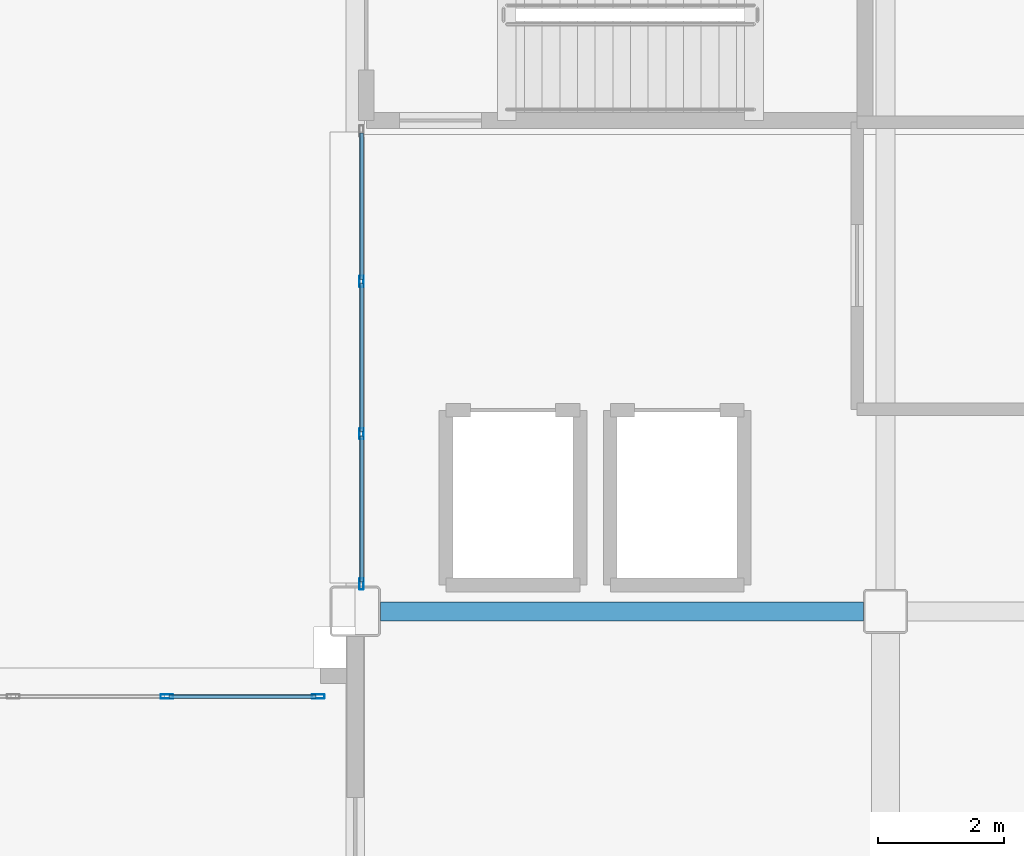
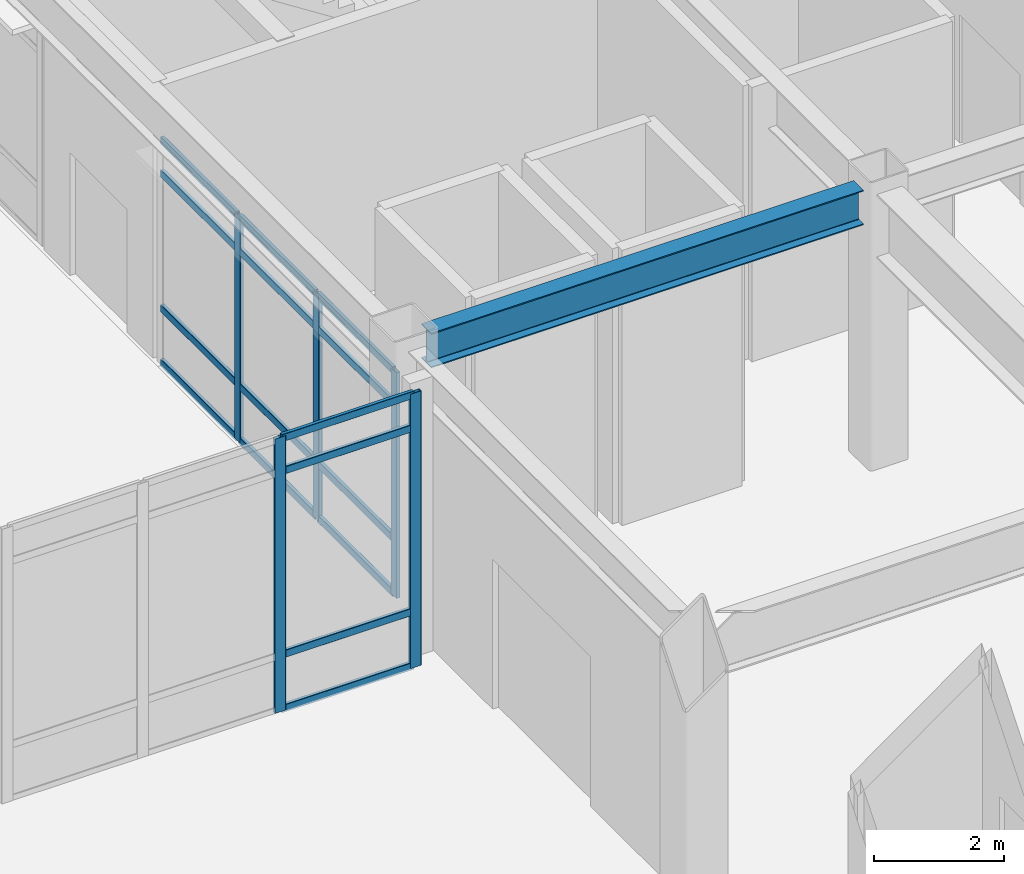
# One storey, part 95 of 165: 21 members, 1 beam, 2 elements without a shape of their own.
"""IFC4 building model written with IfcOpenShell, lengths in metres."""

from ifc_helpers import new_model, si_unit, direction, frame, origin, origin_2d, place, context, subcontext, project, spatial, hollow_rectangle, i_section, extrude, material, layer, layer_set, material_profile, profile_set, type_object, element, aggregate, save


model = new_model("IFC4")

# Units and contexts
model_context = context("Model", 3, precision=1e-05, world=origin(), true_north=direction((0.0, 1.0)))
body_context = subcontext(model_context, "Body", "Model", "MODEL_VIEW")
ifc_project = project(units=[si_unit("LENGTHUNIT", "METRE"), si_unit("AREAUNIT", "SQUARE_METRE"), si_unit("VOLUMEUNIT", "CUBIC_METRE"), si_unit("PLANEANGLEUNIT", "RADIAN"), si_unit("MASSUNIT", "GRAM", prefix="KILO")], contexts=[model_context])

# Site, building, storey
site_placement = place(None, origin())
site = spatial("IfcSite", under=ifc_project, at=site_placement, CompositionType="ELEMENT")
building_placement = place(site_placement, origin())
building = spatial("IfcBuilding", under=site, at=building_placement, Name="Kazehara Bluff Congress Hotel", CompositionType="ELEMENT")
storey_placement = place(building_placement, origin())
storey = spatial("IfcBuildingStorey", under=building, at=storey_placement, Name="L00", CompositionType="ELEMENT", Elevation=0.0)

# Curtain wall, members
ifc_material_1 = material(Name="Anodised aluminium", Category="aluminium")
ifc_layer_1 = layer(ifc_material_1, 0.159912109375)
ifc_layer_set_1 = layer_set([ifc_layer_1], Name="Anodised aluminium")
curtain_wall_type_1 = type_object("IfcCurtainWallType", Name="TP-CW-101", PredefinedType="NOTDEFINED", material=ifc_layer_set_1)
curtain_wall_1_placement = place(storey_placement, origin())
curtain_wall_1 = element("IfcCurtainWall", 1, at=curtain_wall_1_placement, inside=storey, type_object=curtain_wall_type_1, Name="L00 curtain wall CW-101 CW-ENC-V5-L00-14380-4492", PredefinedType="NOTDEFINED")
ifc_material_2 = material(Name="Anodised aluminium", Category="aluminium")
ifc_material_profile_1 = material_profile(ifc_material_2, hollow_rectangle(XDim=0.06494140625, YDim=0.179931640625, WallThickness=0.00390625, InnerFilletRadius=0.00390625, OuterFilletRadius=0.008056640625, at=origin_2d()))
ifc_profile_set_1 = profile_set([ifc_material_profile_1], Name="Anodised aluminium")
member_type_1 = type_object("IfcMemberType", Name="TP-CWM-02", PredefinedType="MULLION", material=ifc_profile_set_1)
member_1_placement = place(storey_placement, frame((143.800048828125, 41.33251953125, 0.0), z_axis=(0.0, 0.0, 1.0), x_axis=(-1.0, 0.0, 0.0)))
member_1 = element("IfcMember", 2, at=member_1_placement, type_object=member_type_1, Name="CW-101 mullion 1", PredefinedType="MULLION", context=body_context, shape_type="SweptSolid", body=[
    extrude(hollow_rectangle(XDim=0.06494140625, YDim=0.179931640625, WallThickness=0.00390625, InnerFilletRadius=0.00390625, OuterFilletRadius=0.008056640625, at=origin_2d()), origin(), (0.0, 0.0, 1.0), 4.22509765625),
])
member_2_placement = place(storey_placement, frame((143.800048828125, 43.71337890625, 0.0), z_axis=(0.0, 0.0, 1.0), x_axis=(-1.0, 0.0, 0.0)))
member_2 = element("IfcMember", 3, at=member_2_placement, type_object=member_type_1, Name="CW-101 mullion 2", PredefinedType="MULLION", context=body_context, shape_type="SweptSolid", body=[
    extrude(hollow_rectangle(XDim=0.06494140625, YDim=0.179931640625, WallThickness=0.00390625, InnerFilletRadius=0.00390625, OuterFilletRadius=0.008056640625, at=origin_2d()), origin(), (0.0, 0.0, 1.0), 4.22509765625),
])
member_3_placement = place(storey_placement, frame((143.800048828125, 46.126708984375, 0.0), z_axis=(0.0, 0.0, 1.0), x_axis=(-1.0, 0.0, 0.0)))
member_3 = element("IfcMember", 4, at=member_3_placement, type_object=member_type_1, Name="CW-101 mullion 3", PredefinedType="MULLION", context=body_context, shape_type="SweptSolid", body=[
    extrude(hollow_rectangle(XDim=0.06494140625, YDim=0.179931640625, WallThickness=0.00390625, InnerFilletRadius=0.00390625, OuterFilletRadius=0.008056640625, at=origin_2d()), origin(), (0.0, 0.0, 1.0), 4.22509765625),
])

ifc_material_3 = material(Name="Anodised aluminium", Category="aluminium")
ifc_layer_2 = layer(ifc_material_3, 0.159912109375)
ifc_layer_set_2 = layer_set([ifc_layer_2], Name="Anodised aluminium")
curtain_wall_type_2 = type_object("IfcCurtainWallType", Name="TP-CW-46", PredefinedType="NOTDEFINED", material=ifc_layer_set_2)
curtain_wall_2_placement = place(storey_placement, origin())
curtain_wall_2 = element("IfcCurtainWall", 5, at=curtain_wall_2_placement, inside=storey, type_object=curtain_wall_type_2, Name="L00 curtain wall CW-46 CW-V5-L00-Y3955-13585", PredefinedType="NOTDEFINED")
ifc_material_4 = material(Name="Anodised aluminium", Category="aluminium")
ifc_material_profile_2 = material_profile(ifc_material_4, hollow_rectangle(XDim=0.070068359375, YDim=0.199951171875, WallThickness=0.0048828125, InnerFilletRadius=0.0048828125, OuterFilletRadius=0.010009765625, at=origin_2d()))
ifc_profile_set_2 = profile_set([ifc_material_profile_2], Name="Anodised aluminium")
member_type_2 = type_object("IfcMemberType", Name="TP-CWM-03", PredefinedType="MULLION", material=ifc_profile_set_2)
member_4_placement = place(storey_placement, frame((140.716552734375, 39.550048828125, 0.0), z_axis=(0.0, 0.0, 1.0), x_axis=(0.0, 1.0, 0.0)))
member_4 = element("IfcMember", 6, at=member_4_placement, type_object=member_type_2, Name="CW-46 mullion 3", PredefinedType="MULLION", context=body_context, shape_type="SweptSolid", body=[
    extrude(hollow_rectangle(XDim=0.070068359375, YDim=0.199951171875, WallThickness=0.0048828125, InnerFilletRadius=0.0048828125, OuterFilletRadius=0.010009765625, at=origin_2d()), origin(), (0.0, 0.0, 1.0), 5.135009765625),
])
member_5_placement = place(storey_placement, frame((143.114990234375, 39.550048828125, 0.0), z_axis=(0.0, 0.0, 1.0), x_axis=(0.0, 1.0, 0.0)))
member_5 = element("IfcMember", 7, at=member_5_placement, type_object=member_type_2, Name="CW-46 mullion 4", PredefinedType="MULLION", context=body_context, shape_type="SweptSolid", body=[
    extrude(hollow_rectangle(XDim=0.070068359375, YDim=0.199951171875, WallThickness=0.0048828125, InnerFilletRadius=0.0048828125, OuterFilletRadius=0.010009765625, at=origin_2d()), origin(), (0.0, 0.0, 1.0), 5.135009765625),
])
ifc_material_5 = material(Name="Anodised aluminium", Category="aluminium")
ifc_material_profile_3 = material_profile(ifc_material_5, hollow_rectangle(XDim=0.06494140625, YDim=0.139892578125, WallThickness=0.00390625, InnerFilletRadius=0.00390625, OuterFilletRadius=0.008056640625, at=origin_2d()))
ifc_profile_set_3 = profile_set([ifc_material_profile_3], Name="Anodised aluminium")
member_type_3 = type_object("IfcMemberType", Name="TP-CWT-02", PredefinedType="USERDEFINED", material=ifc_profile_set_3)
member_6_placement = place(storey_placement, frame((140.751708984375, 39.550048828125, 0.032470703125), z_axis=(1.0, 0.0, 0.0), x_axis=(0.0, 1.0, 0.0)))
member_6 = element("IfcMember", 8, at=member_6_placement, type_object=member_type_3, Name="CW-46 transom 3.1", ObjectType="TRANSOM", PredefinedType="USERDEFINED", context=body_context, shape_type="SweptSolid", body=[
    extrude(hollow_rectangle(XDim=0.06494140625, YDim=0.139892578125, WallThickness=0.00390625, InnerFilletRadius=0.00390625, OuterFilletRadius=0.008056640625, at=origin_2d()), origin(), (0.0, 0.0, 1.0), 2.328369140625),
])
member_7_placement = place(storey_placement, frame((140.751708984375, 39.550048828125, 1.050048828125), z_axis=(1.0, 0.0, 0.0), x_axis=(0.0, 1.0, 0.0)))
member_7 = element("IfcMember", 9, at=member_7_placement, type_object=member_type_3, Name="CW-46 transom 3.2", ObjectType="TRANSOM", PredefinedType="USERDEFINED", context=body_context, shape_type="SweptSolid", body=[
    extrude(hollow_rectangle(XDim=0.06494140625, YDim=0.139892578125, WallThickness=0.00390625, InnerFilletRadius=0.00390625, OuterFilletRadius=0.008056640625, at=origin_2d()), origin(), (0.0, 0.0, 1.0), 2.328369140625),
])
member_8_placement = place(storey_placement, frame((140.751708984375, 39.550048828125, 4.485107421875), z_axis=(1.0, 0.0, 0.0), x_axis=(0.0, 1.0, 0.0)))
member_8 = element("IfcMember", 10, at=member_8_placement, type_object=member_type_3, Name="CW-46 transom 3.3", ObjectType="TRANSOM", PredefinedType="USERDEFINED", context=body_context, shape_type="SweptSolid", body=[
    extrude(hollow_rectangle(XDim=0.06494140625, YDim=0.139892578125, WallThickness=0.00390625, InnerFilletRadius=0.00390625, OuterFilletRadius=0.008056640625, at=origin_2d()), origin(), (0.0, 0.0, 1.0), 2.328369140625),
])
member_9_placement = place(storey_placement, frame((140.751708984375, 39.550048828125, 5.1025390625), z_axis=(1.0, 0.0, 0.0), x_axis=(0.0, 1.0, 0.0)))
member_9 = element("IfcMember", 11, at=member_9_placement, type_object=member_type_3, Name="CW-46 transom 3.4", ObjectType="TRANSOM", PredefinedType="USERDEFINED", context=body_context, shape_type="SweptSolid", body=[
    extrude(hollow_rectangle(XDim=0.06494140625, YDim=0.139892578125, WallThickness=0.00390625, InnerFilletRadius=0.00390625, OuterFilletRadius=0.008056640625, at=origin_2d()), origin(), (0.0, 0.0, 1.0), 2.328369140625),
])
aggregate(curtain_wall_2, [member_4, member_5, member_6, member_7, member_8, member_9])

# Member
member_10_placement = place(storey_placement, frame((143.800048828125, 41.364990234375, 0.032470703125), z_axis=(0.0, 1.0, 0.0), x_axis=(-1.0, 0.0, 0.0)))
member_10 = element("IfcMember", 12, at=member_10_placement, type_object=member_type_3, Name="CW-101 transom 1.1", ObjectType="TRANSOM", PredefinedType="USERDEFINED", context=body_context, shape_type="SweptSolid", body=[
    extrude(hollow_rectangle(XDim=0.06494140625, YDim=0.139892578125, WallThickness=0.00390625, InnerFilletRadius=0.00390625, OuterFilletRadius=0.008056640625, at=origin_2d()), origin(), (0.0, 0.0, 1.0), 2.31591796875),
])

member_11_placement = place(storey_placement, frame((143.800048828125, 41.364990234375, 1.050048828125), z_axis=(0.0, 1.0, 0.0), x_axis=(-1.0, 0.0, 0.0)))
member_11 = element("IfcMember", 13, at=member_11_placement, type_object=member_type_3, Name="CW-101 transom 1.2", ObjectType="TRANSOM", PredefinedType="USERDEFINED", context=body_context, shape_type="SweptSolid", body=[
    extrude(hollow_rectangle(XDim=0.06494140625, YDim=0.139892578125, WallThickness=0.00390625, InnerFilletRadius=0.00390625, OuterFilletRadius=0.008056640625, at=origin_2d()), origin(), (0.0, 0.0, 1.0), 2.31591796875),
])

member_12_placement = place(storey_placement, frame((143.800048828125, 41.364990234375, 3.574951171875), z_axis=(0.0, 1.0, 0.0), x_axis=(-1.0, 0.0, 0.0)))
member_12 = element("IfcMember", 14, at=member_12_placement, type_object=member_type_3, Name="CW-101 transom 1.3", ObjectType="TRANSOM", PredefinedType="USERDEFINED", context=body_context, shape_type="SweptSolid", body=[
    extrude(hollow_rectangle(XDim=0.06494140625, YDim=0.139892578125, WallThickness=0.00390625, InnerFilletRadius=0.00390625, OuterFilletRadius=0.008056640625, at=origin_2d()), origin(), (0.0, 0.0, 1.0), 2.31591796875),
])

member_13_placement = place(storey_placement, frame((143.800048828125, 41.364990234375, 4.1923828125), z_axis=(0.0, 1.0, 0.0), x_axis=(-1.0, 0.0, 0.0)))
member_13 = element("IfcMember", 15, at=member_13_placement, type_object=member_type_3, Name="CW-101 transom 1.4", ObjectType="TRANSOM", PredefinedType="USERDEFINED", context=body_context, shape_type="SweptSolid", body=[
    extrude(hollow_rectangle(XDim=0.06494140625, YDim=0.139892578125, WallThickness=0.00390625, InnerFilletRadius=0.00390625, OuterFilletRadius=0.008056640625, at=origin_2d()), origin(), (0.0, 0.0, 1.0), 2.31591796875),
])

member_14_placement = place(storey_placement, frame((143.800048828125, 43.745849609375, 0.032470703125), z_axis=(0.0, 1.0, 0.0), x_axis=(-1.0, 0.0, 0.0)))
member_14 = element("IfcMember", 16, at=member_14_placement, type_object=member_type_3, Name="CW-101 transom 2.1", ObjectType="TRANSOM", PredefinedType="USERDEFINED", context=body_context, shape_type="SweptSolid", body=[
    extrude(hollow_rectangle(XDim=0.06494140625, YDim=0.139892578125, WallThickness=0.00390625, InnerFilletRadius=0.00390625, OuterFilletRadius=0.008056640625, at=origin_2d()), origin(), (0.0, 0.0, 1.0), 2.348388671875),
])

member_15_placement = place(storey_placement, frame((143.800048828125, 43.745849609375, 1.050048828125), z_axis=(0.0, 1.0, 0.0), x_axis=(-1.0, 0.0, 0.0)))
member_15 = element("IfcMember", 17, at=member_15_placement, type_object=member_type_3, Name="CW-101 transom 2.2", ObjectType="TRANSOM", PredefinedType="USERDEFINED", context=body_context, shape_type="SweptSolid", body=[
    extrude(hollow_rectangle(XDim=0.06494140625, YDim=0.139892578125, WallThickness=0.00390625, InnerFilletRadius=0.00390625, OuterFilletRadius=0.008056640625, at=origin_2d()), origin(), (0.0, 0.0, 1.0), 2.348388671875),
])

member_16_placement = place(storey_placement, frame((143.800048828125, 43.745849609375, 3.574951171875), z_axis=(0.0, 1.0, 0.0), x_axis=(-1.0, 0.0, 0.0)))
member_16 = element("IfcMember", 18, at=member_16_placement, type_object=member_type_3, Name="CW-101 transom 2.3", ObjectType="TRANSOM", PredefinedType="USERDEFINED", context=body_context, shape_type="SweptSolid", body=[
    extrude(hollow_rectangle(XDim=0.06494140625, YDim=0.139892578125, WallThickness=0.00390625, InnerFilletRadius=0.00390625, OuterFilletRadius=0.008056640625, at=origin_2d()), origin(), (0.0, 0.0, 1.0), 2.348388671875),
])

member_17_placement = place(storey_placement, frame((143.800048828125, 43.745849609375, 4.1923828125), z_axis=(0.0, 1.0, 0.0), x_axis=(-1.0, 0.0, 0.0)))
member_17 = element("IfcMember", 19, at=member_17_placement, type_object=member_type_3, Name="CW-101 transom 2.4", ObjectType="TRANSOM", PredefinedType="USERDEFINED", context=body_context, shape_type="SweptSolid", body=[
    extrude(hollow_rectangle(XDim=0.06494140625, YDim=0.139892578125, WallThickness=0.00390625, InnerFilletRadius=0.00390625, OuterFilletRadius=0.008056640625, at=origin_2d()), origin(), (0.0, 0.0, 1.0), 2.348388671875),
])

member_18_placement = place(storey_placement, frame((143.800048828125, 46.1591796875, 0.032470703125), z_axis=(0.0, 1.0, 0.0), x_axis=(-1.0, 0.0, 0.0)))
member_18 = element("IfcMember", 20, at=member_18_placement, type_object=member_type_3, Name="CW-101 transom 3.1", ObjectType="TRANSOM", PredefinedType="USERDEFINED", context=body_context, shape_type="SweptSolid", body=[
    extrude(hollow_rectangle(XDim=0.06494140625, YDim=0.139892578125, WallThickness=0.00390625, InnerFilletRadius=0.00390625, OuterFilletRadius=0.008056640625, at=origin_2d()), origin(), (0.0, 0.0, 1.0), 2.31591796875),
])

member_19_placement = place(storey_placement, frame((143.800048828125, 46.1591796875, 1.050048828125), z_axis=(0.0, 1.0, 0.0), x_axis=(-1.0, 0.0, 0.0)))
member_19 = element("IfcMember", 21, at=member_19_placement, type_object=member_type_3, Name="CW-101 transom 3.2", ObjectType="TRANSOM", PredefinedType="USERDEFINED", context=body_context, shape_type="SweptSolid", body=[
    extrude(hollow_rectangle(XDim=0.06494140625, YDim=0.139892578125, WallThickness=0.00390625, InnerFilletRadius=0.00390625, OuterFilletRadius=0.008056640625, at=origin_2d()), origin(), (0.0, 0.0, 1.0), 2.31591796875),
])

member_20_placement = place(storey_placement, frame((143.800048828125, 46.1591796875, 3.574951171875), z_axis=(0.0, 1.0, 0.0), x_axis=(-1.0, 0.0, 0.0)))
member_20 = element("IfcMember", 22, at=member_20_placement, type_object=member_type_3, Name="CW-101 transom 3.3", ObjectType="TRANSOM", PredefinedType="USERDEFINED", context=body_context, shape_type="SweptSolid", body=[
    extrude(hollow_rectangle(XDim=0.06494140625, YDim=0.139892578125, WallThickness=0.00390625, InnerFilletRadius=0.00390625, OuterFilletRadius=0.008056640625, at=origin_2d()), origin(), (0.0, 0.0, 1.0), 2.31591796875),
])

member_21_placement = place(storey_placement, frame((143.800048828125, 46.1591796875, 4.1923828125), z_axis=(0.0, 1.0, 0.0), x_axis=(-1.0, 0.0, 0.0)))
member_21 = element("IfcMember", 23, at=member_21_placement, type_object=member_type_3, Name="CW-101 transom 3.4", ObjectType="TRANSOM", PredefinedType="USERDEFINED", context=body_context, shape_type="SweptSolid", body=[
    extrude(hollow_rectangle(XDim=0.06494140625, YDim=0.139892578125, WallThickness=0.00390625, InnerFilletRadius=0.00390625, OuterFilletRadius=0.008056640625, at=origin_2d()), origin(), (0.0, 0.0, 1.0), 2.31591796875),
])

aggregate(curtain_wall_1, [member_1, member_2, member_3, member_10, member_11, member_12, member_13, member_14, member_15, member_16, member_17, member_18, member_19, member_20, member_21])

# Beam
ifc_material_6 = material(Name="Steel SN490B", Category="steel")
ifc_material_profile_4 = material_profile(ifc_material_6, i_section(OverallWidth=0.300048828125, OverallDepth=0.64990234375, WebThickness=0.011962890625, FlangeThickness=0.02001953125, FilletRadius=0.012939453125, at=origin_2d()))
ifc_profile_set_4 = profile_set([ifc_material_profile_4], Name="Steel SN490B")
beam_type = type_object("IfcBeamType", Name="TP-G-03", PredefinedType="BEAM", material=ifc_profile_set_4)
beam_placement = place(storey_placement, frame((144.10009765625, 40.89990234375, 4.824951171875), z_axis=(1.0, 0.0, 0.0), x_axis=(0.0, 1.0, 0.0)))
element("IfcBeam", 24, at=beam_placement, inside=storey, type_object=beam_type, Name="L00 girder G-03 296", PredefinedType="BEAM", context=body_context, shape_type="SweptSolid", body=[
    extrude(i_section(OverallWidth=0.300048828125, OverallDepth=0.64990234375, WebThickness=0.011962890625, FlangeThickness=0.02001953125, FilletRadius=0.012939453125, at=origin_2d()), origin(), (0.0, 0.0, 1.0), 7.64990234375),
])

save(model, "model.ifc")
